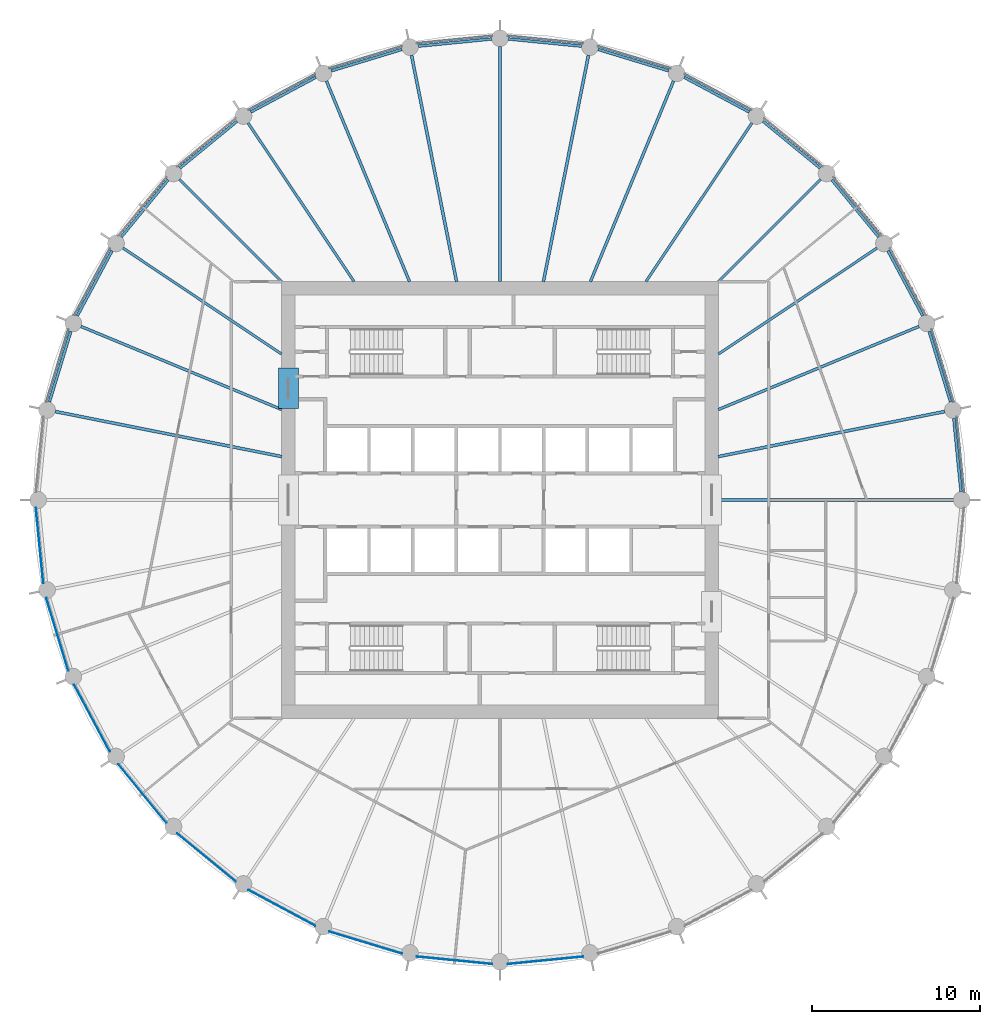
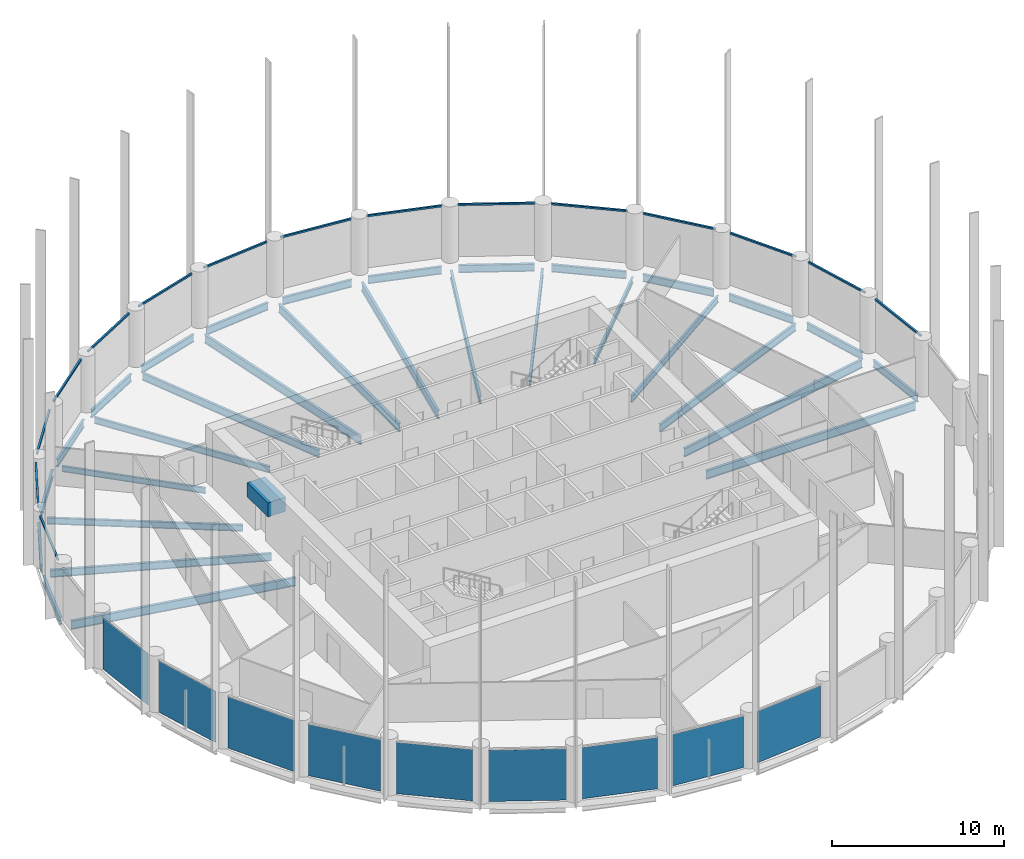
# One storey, part 2 of 8: 32 beams, 15 members, 9 plates, 24 elements without a shape of their own.
"""IFC4 building model written with IfcOpenShell, lengths in metres."""

from ifc_helpers import new_model, si_unit, direction, frame, origin, origin_2d, place, context, subcontext, project, spatial, rectangle, i_section, extrude, material, layer, layer_set, material_profile, profile_set, type_object, element, aggregate, save


model = new_model("IFC4")

# Units and contexts
model_context = context("Model", 3, precision=1e-05, world=origin(), true_north=direction((0.0, 1.0)))
body_context = subcontext(model_context, "Body", "Model", "MODEL_VIEW")
ifc_project = project(units=[si_unit("LENGTHUNIT", "METRE"), si_unit("AREAUNIT", "SQUARE_METRE"), si_unit("VOLUMEUNIT", "CUBIC_METRE"), si_unit("PLANEANGLEUNIT", "RADIAN"), si_unit("MASSUNIT", "GRAM", prefix="KILO")], contexts=[model_context])

# Site, building, storey
site_placement = place(None, origin())
site = spatial("IfcSite", under=ifc_project, at=site_placement, CompositionType="ELEMENT")
building_placement = place(site_placement, origin())
building = spatial("IfcBuilding", under=site, at=building_placement, Name="Corvane Civic Tower", CompositionType="ELEMENT")
storey_placement = place(building_placement, frame((0.0, 0.0, 201.5)))
storey = spatial("IfcBuildingStorey", under=building, at=storey_placement, Name="L47", CompositionType="ELEMENT", Elevation=201.5)

# Beams
ifc_material_1 = material(Name="Concrete C50/60", Category="concrete")
ifc_material_profile_1 = material_profile(ifc_material_1, rectangle(XDim=1.199951171875, YDim=1.0, at=origin_2d()), Name="COUPLING BEAM 1200X1000")
ifc_profile_set_1 = profile_set([ifc_material_profile_1], Name="Concrete C50/60")
beam_type_1 = type_object("IfcBeamType", Name="COUPLING BEAM COUPLING BEAM 1200X1000", PredefinedType="BEAM", material=ifc_profile_set_1)
beam_1_placement = place(storey_placement, frame((-12.60009765625, 5.449951171875, 2.60009765625), z_axis=(0.0, 1.0, 0.0), x_axis=(-1.0, 0.0, 0.0)))
element("IfcBeam", 1, at=beam_1_placement, inside=storey, type_object=beam_type_1, Name="BM-L47-cpl-CW-WN", PredefinedType="BEAM", context=body_context, shape_type="SweptSolid", body=[
    extrude(rectangle(XDim=1.199951171875, YDim=1.0, at=origin_2d()), origin(), (0.0, 0.0, 1.0), 2.400146484375),
])
ifc_material_2 = material(Name="Steel ASTM A992 Gr 50", Category="steel")
ifc_material_profile_2 = material_profile(ifc_material_2, i_section(OverallWidth=0.165771484375, OverallDepth=0.5283203125, WebThickness=0.009765625, FlangeThickness=0.013671875, at=origin_2d()), Name="W21X50")
ifc_profile_set_2 = profile_set([ifc_material_profile_2], Name="Steel ASTM A992 Gr 50")
beam_type_2 = type_object("IfcBeamType", Name="EDGE BEAM W21X50", PredefinedType="BEAM", material=ifc_profile_set_2)
beam_2_placement = place(storey_placement, frame((0.49755859375, 27.450927734375, -0.714111328125), z_axis=(0.995189593769, -0.097967711281, 0.0), x_axis=(0.097967711281, 0.995189593769, 0.0)))
element("IfcBeam", 2, at=beam_2_placement, inside=storey, type_object=beam_type_2, Name="BM-L47-E01", PredefinedType="BEAM", context=body_context, shape_type="SweptSolid", body=[
    extrude(i_section(OverallWidth=0.165771484375, OverallDepth=0.5283203125, WebThickness=0.009765625, FlangeThickness=0.013671875, at=origin_2d()), origin(), (0.0, 0.0, 1.0), 4.39111328125),
])
beam_3_placement = place(storey_placement, frame((5.843505859375, 26.826416015625, -0.714111328125), z_axis=(0.956949547653, -0.290254307888, 0.0), x_axis=(0.290254307888, 0.956949547653, 0.0)))
element("IfcBeam", 3, at=beam_3_placement, inside=storey, type_object=beam_type_2, Name="BM-L47-E02", PredefinedType="BEAM", context=body_context, shape_type="SweptSolid", body=[
    extrude(i_section(OverallWidth=0.165771484375, OverallDepth=0.5283203125, WebThickness=0.009765625, FlangeThickness=0.013671875, at=origin_2d()), origin(), (0.0, 0.0, 1.0), 4.390625),
])
for number, where, z_axis, x_axis, name in (
    (4, (10.964599609375, 25.171142578125, -0.714111328125), (0.881907756852, -0.471422006704, 0.0), (0.471422006704, 0.881907756852, 0.0), "BM-L47-E03"),
    (5, (15.66455078125, 22.54833984375, -0.714111328125), (0.773030026524, -0.634369433447, 0.0), (0.634369433447, 0.773030026524, 0.0), "BM-L47-E04"),
    (6, (19.7626953125, 19.05908203125, -0.714111328125), (0.634369433447, -0.773030026524, 0.0), (0.773030026524, 0.634369433447, 0.0), "BM-L47-E05"),
    (7, (23.10107421875, 14.837158203125, -0.714111328125), (0.471422006704, -0.881907756852, 0.0), (0.881907756852, 0.471422006704, 0.0), "BM-L47-E06"),
):
    element("IfcBeam", number, at=place(storey_placement, frame(where, z_axis=z_axis, x_axis=x_axis)), inside=storey, type_object=beam_type_2, Name=name, PredefinedType="BEAM", context=body_context, shape_type="SweptSolid", body=[
        extrude(i_section(OverallWidth=0.165771484375, OverallDepth=0.5283203125, WebThickness=0.009765625, FlangeThickness=0.013671875, at=origin_2d()), origin(), (0.0, 0.0, 1.0), 4.39111328125),
    ])
beam_4_placement = place(storey_placement, frame((25.552001953125, 10.045166015625, -0.714111328125), z_axis=(0.290254307888, -0.956949547653, 0.0), x_axis=(0.956949547653, 0.290254307888, 0.0)))
element("IfcBeam", 8, at=beam_4_placement, inside=storey, type_object=beam_type_2, Name="BM-L47-E07", PredefinedType="BEAM", context=body_context, shape_type="SweptSolid", body=[
    extrude(i_section(OverallWidth=0.165771484375, OverallDepth=0.5283203125, WebThickness=0.009765625, FlangeThickness=0.013671875, at=origin_2d()), origin(), (0.0, 0.0, 1.0), 4.390625),
])
beam_5_placement = place(storey_placement, frame((27.020751953125, 4.867431640625, -0.714111328125), z_axis=(0.097967711281, -0.995189593769, 0.0), x_axis=(0.995189593769, 0.097967711281, 0.0)))
element("IfcBeam", 9, at=beam_5_placement, inside=storey, type_object=beam_type_2, Name="BM-L47-E08", PredefinedType="BEAM", context=body_context, shape_type="SweptSolid", body=[
    extrude(i_section(OverallWidth=0.165771484375, OverallDepth=0.5283203125, WebThickness=0.009765625, FlangeThickness=0.013671875, at=origin_2d()), origin(), (0.0, 0.0, 1.0), 4.39111328125),
])
beam_6_placement = place(storey_placement, frame((-26.826416015625, 5.843505859375, -0.714111328125), z_axis=(0.290254307888, 0.956949547653, 0.0), x_axis=(-0.956949547653, 0.290254307888, 0.0)))
element("IfcBeam", 10, at=beam_6_placement, inside=storey, type_object=beam_type_2, Name="BM-L47-E26", PredefinedType="BEAM", context=body_context, shape_type="SweptSolid", body=[
    extrude(i_section(OverallWidth=0.165771484375, OverallDepth=0.5283203125, WebThickness=0.009765625, FlangeThickness=0.013671875, at=origin_2d()), origin(), (0.0, 0.0, 1.0), 4.390625),
])
for number, where, z_axis, x_axis, name in (
    (11, (-25.171142578125, 10.964599609375, -0.714111328125), (0.471422006704, 0.881907756852, 0.0), (-0.881907756852, 0.471422006704, 0.0), "BM-L47-E27"),
    (12, (-22.54833984375, 15.66455078125, -0.714111328125), (0.634369433447, 0.773030026524, 0.0), (-0.773030026524, 0.634369433447, 0.0), "BM-L47-E28"),
    (13, (-19.05908203125, 19.7626953125, -0.714111328125), (0.773030026524, 0.634369433447, 0.0), (-0.634369433447, 0.773030026524, 0.0), "BM-L47-E29"),
    (14, (-14.837158203125, 23.10107421875, -0.714111328125), (0.881907756852, 0.471422006704, 0.0), (-0.471422006704, 0.881907756852, 0.0), "BM-L47-E30"),
):
    element("IfcBeam", number, at=place(storey_placement, frame(where, z_axis=z_axis, x_axis=x_axis)), inside=storey, type_object=beam_type_2, Name=name, PredefinedType="BEAM", context=body_context, shape_type="SweptSolid", body=[
        extrude(i_section(OverallWidth=0.165771484375, OverallDepth=0.5283203125, WebThickness=0.009765625, FlangeThickness=0.013671875, at=origin_2d()), origin(), (0.0, 0.0, 1.0), 4.39111328125),
    ])
beam_7_placement = place(storey_placement, frame((-10.045166015625, 25.552001953125, -0.714111328125), z_axis=(0.956949547653, 0.290254307888, 0.0), x_axis=(-0.290254307888, 0.956949547653, 0.0)))
element("IfcBeam", 15, at=beam_7_placement, inside=storey, type_object=beam_type_2, Name="BM-L47-E31", PredefinedType="BEAM", context=body_context, shape_type="SweptSolid", body=[
    extrude(i_section(OverallWidth=0.165771484375, OverallDepth=0.5283203125, WebThickness=0.009765625, FlangeThickness=0.013671875, at=origin_2d()), origin(), (0.0, 0.0, 1.0), 4.390625),
])
beam_8_placement = place(storey_placement, frame((-4.867431640625, 27.020751953125, -0.714111328125), z_axis=(0.995189593769, 0.097967711281, 0.0), x_axis=(-0.097967711281, 0.995189593769, 0.0)))
element("IfcBeam", 16, at=beam_8_placement, inside=storey, type_object=beam_type_2, Name="BM-L47-E32", PredefinedType="BEAM", context=body_context, shape_type="SweptSolid", body=[
    extrude(i_section(OverallWidth=0.165771484375, OverallDepth=0.5283203125, WebThickness=0.009765625, FlangeThickness=0.013671875, at=origin_2d()), origin(), (0.0, 0.0, 1.0), 4.39111328125),
])
ifc_material_3 = material(Name="Steel ASTM A992 Gr 50", Category="steel")
ifc_material_profile_3 = material_profile(ifc_material_3, i_section(OverallWidth=0.140380859375, OverallDepth=0.40380859375, WebThickness=0.007080078125, FlangeThickness=0.01123046875, at=origin_2d()), Name="W16X31")
ifc_profile_set_3 = profile_set([ifc_material_profile_3], Name="Steel ASTM A992 Gr 50")
beam_type_3 = type_object("IfcBeamType", Name="FLOOR GIRDER W16X31", PredefinedType="BEAM", material=ifc_profile_set_3)
for number, where, z_axis, x_axis, name in (
    (17, (13.0, 13.0, -0.65185546875), (0.707106781187, 0.707106781187, 0.0), (-0.707106781187, 0.707106781187, 0.0), "BM-L47-G05"),
    (18, (-13.0, 13.0, -0.65185546875), (-0.707106781187, 0.707106781187, 0.0), (-0.707106781187, -0.707106781187, 0.0), "BM-L47-G29"),
):
    element("IfcBeam", number, at=place(storey_placement, frame(where, z_axis=z_axis, x_axis=x_axis)), inside=storey, type_object=beam_type_3, Name=name, PredefinedType="BEAM", context=body_context, shape_type="SweptSolid", body=[
        extrude(i_section(OverallWidth=0.140380859375, OverallDepth=0.40380859375, WebThickness=0.007080078125, FlangeThickness=0.01123046875, at=origin_2d()), origin(), (0.0, 0.0, 1.0), 8.614990234375),
    ])
ifc_material_4 = material(Name="Steel ASTM A992 Gr 50", Category="steel")
ifc_material_profile_4 = material_profile(ifc_material_4, i_section(OverallWidth=0.15283203125, OverallDepth=0.45458984375, WebThickness=0.008056640625, FlangeThickness=0.013427734375, at=origin_2d()), Name="W18X40")
ifc_profile_set_4 = profile_set([ifc_material_profile_4], Name="Steel ASTM A992 Gr 50")
beam_type_4 = type_object("IfcBeamType", Name="FLOOR GIRDER W18X40", PredefinedType="BEAM", material=ifc_profile_set_4)
for number, where, z_axis, x_axis, name in (
    (19, (8.686279296875, 13.0, -0.67724609375), (0.555577326485, 0.831464872557, 0.0), (-0.831464872557, 0.555577326485, 0.0), "BM-L47-G04"),
    (20, (13.0, 8.686279296875, -0.67724609375), (0.831464872557, 0.555577326485, 0.0), (-0.555577326485, 0.831464872557, 0.0), "BM-L47-G06"),
    (21, (-13.0, 8.686279296875, -0.67724609375), (-0.831464872557, 0.555577326485, 0.0), (-0.555577326485, -0.831464872557, 0.0), "BM-L47-G28"),
    (22, (-8.686279296875, 13.0, -0.67724609375), (-0.555577326485, 0.831464872557, 0.0), (-0.831464872557, -0.555577326485, 0.0), "BM-L47-G30"),
):
    element("IfcBeam", number, at=place(storey_placement, frame(where, z_axis=z_axis, x_axis=x_axis)), inside=storey, type_object=beam_type_4, Name=name, PredefinedType="BEAM", context=body_context, shape_type="SweptSolid", body=[
        extrude(i_section(OverallWidth=0.15283203125, OverallDepth=0.45458984375, WebThickness=0.008056640625, FlangeThickness=0.013427734375, at=origin_2d()), origin(), (0.0, 0.0, 1.0), 11.365234375),
    ])
ifc_material_5 = material(Name="Steel ASTM A992 Gr 50", Category="steel")
ifc_material_profile_5 = material_profile(ifc_material_5, i_section(OverallWidth=0.165771484375, OverallDepth=0.5283203125, WebThickness=0.009765625, FlangeThickness=0.013671875, at=origin_2d()), Name="W21X50")
ifc_profile_set_5 = profile_set([ifc_material_profile_5], Name="Steel ASTM A992 Gr 50")
beam_type_5 = type_object("IfcBeamType", Name="FLOOR GIRDER W21X50", PredefinedType="BEAM", material=ifc_profile_set_5)
for number, where, z_axis, x_axis, name in (
    (23, (5.384765625, 13.0, -0.714111328125), (0.382686450378, 0.923878282404, 0.0), (-0.923878282404, 0.382686450378, 0.0), "BM-L47-G03"),
    (24, (13.0, 5.384765625, -0.714111328125), (0.923878282404, 0.382686450378, 0.0), (-0.382686450378, 0.923878282404, 0.0), "BM-L47-G07"),
    (25, (-13.0, 5.384765625, -0.714111328125), (-0.923878282404, 0.382686450378, 0.0), (-0.382686450378, -0.923878282404, 0.0), "BM-L47-G27"),
    (26, (-5.384765625, 13.0, -0.714111328125), (-0.382686450378, 0.923878282404, 0.0), (-0.923878282404, -0.382686450378, 0.0), "BM-L47-G31"),
):
    element("IfcBeam", number, at=place(storey_placement, frame(where, z_axis=z_axis, x_axis=x_axis)), inside=storey, type_object=beam_type_5, Name=name, PredefinedType="BEAM", context=body_context, shape_type="SweptSolid", body=[
        extrude(i_section(OverallWidth=0.165771484375, OverallDepth=0.5283203125, WebThickness=0.009765625, FlangeThickness=0.013671875, at=origin_2d()), origin(), (0.0, 0.0, 1.0), 12.928955078125),
    ])
ifc_material_6 = material(Name="Steel ASTM A992 Gr 50", Category="steel")
ifc_material_profile_6 = material_profile(ifc_material_6, i_section(OverallWidth=0.177978515625, OverallDepth=0.599365234375, WebThickness=0.010009765625, FlangeThickness=0.012939453125, at=origin_2d()), Name="W24X55")
ifc_profile_set_6 = profile_set([ifc_material_profile_6], Name="Steel ASTM A992 Gr 50")
beam_type_6 = type_object("IfcBeamType", Name="FLOOR GIRDER W24X55", PredefinedType="BEAM", material=ifc_profile_set_6)
beam_9_placement = place(storey_placement, frame((0.0, 13.0, -0.749755859375), z_axis=(0.0, 1.0, 0.0), x_axis=(-1.0, 0.0, 0.0)))
element("IfcBeam", 27, at=beam_9_placement, inside=storey, type_object=beam_type_6, Name="BM-L47-G01", PredefinedType="BEAM", context=body_context, shape_type="SweptSolid", body=[
    extrude(i_section(OverallWidth=0.177978515625, OverallDepth=0.599365234375, WebThickness=0.010009765625, FlangeThickness=0.012939453125, at=origin_2d()), origin(), (0.0, 0.0, 1.0), 14.0),
])
for number, where, z_axis, x_axis, name in (
    (28, (2.5859375, 13.0, -0.749755859375), (0.195077644118, 0.980787802109, 0.0), (-0.980787802109, 0.195077644118, 0.0), "BM-L47-G02"),
    (29, (13.0, 2.5859375, -0.749755859375), (0.980787802109, 0.195077644118, 0.0), (-0.195077644118, 0.980787802109, 0.0), "BM-L47-G08"),
):
    element("IfcBeam", number, at=place(storey_placement, frame(where, z_axis=z_axis, x_axis=x_axis)), inside=storey, type_object=beam_type_6, Name=name, PredefinedType="BEAM", context=body_context, shape_type="SweptSolid", body=[
        extrude(i_section(OverallWidth=0.177978515625, OverallDepth=0.599365234375, WebThickness=0.010009765625, FlangeThickness=0.012939453125, at=origin_2d()), origin(), (0.0, 0.0, 1.0), 13.745361328125),
    ])
beam_10_placement = place(storey_placement, frame((13.0, 0.0, -0.749755859375), z_axis=(1.0, 0.0, 0.0), x_axis=(0.0, 1.0, 0.0)))
element("IfcBeam", 30, at=beam_10_placement, inside=storey, type_object=beam_type_6, Name="BM-L47-G09", PredefinedType="BEAM", context=body_context, shape_type="SweptSolid", body=[
    extrude(i_section(OverallWidth=0.177978515625, OverallDepth=0.599365234375, WebThickness=0.010009765625, FlangeThickness=0.012939453125, at=origin_2d()), origin(), (0.0, 0.0, 1.0), 14.0),
])
for number, where, z_axis, x_axis, name in (
    (31, (-13.0, 2.5859375, -0.749755859375), (-0.980787802109, 0.195077644118, 0.0), (-0.195077644118, -0.980787802109, 0.0), "BM-L47-G26"),
    (32, (-2.5859375, 13.0, -0.749755859375), (-0.195077644118, 0.980787802109, 0.0), (-0.980787802109, -0.195077644118, 0.0), "BM-L47-G32"),
):
    element("IfcBeam", number, at=place(storey_placement, frame(where, z_axis=z_axis, x_axis=x_axis)), inside=storey, type_object=beam_type_6, Name=name, PredefinedType="BEAM", context=body_context, shape_type="SweptSolid", body=[
        extrude(i_section(OverallWidth=0.177978515625, OverallDepth=0.599365234375, WebThickness=0.010009765625, FlangeThickness=0.012939453125, at=origin_2d()), origin(), (0.0, 0.0, 1.0), 13.745361328125),
    ])

# Curtain wall, member
ifc_material_7 = material(Name="Anodised aluminium bronze", Category="aluminium")
curtain_wall_type = type_object("IfcCurtainWallType", Name="TOWER CW-T2 STICK CURTAIN WALL", PredefinedType="NOTDEFINED", material=ifc_material_7)
curtain_wall_1_placement = place(storey_placement, origin())
curtain_wall_1 = element("IfcCurtainWall", 33, at=curtain_wall_1_placement, inside=storey, type_object=curtain_wall_type, Name="Curtain wall CW-T2 L47 bay 01", PredefinedType="NOTDEFINED")
ifc_material_8 = material(Name="Anodised aluminium bronze", Category="aluminium")
ifc_material_profile_7 = material_profile(ifc_material_8, rectangle(XDim=0.1201171875, YDim=0.1201171875, at=origin_2d()), Name="TOWER CW-T2 TRANSOM 120x120")
ifc_profile_set_7 = profile_set([ifc_material_profile_7], Name="Anodised aluminium bronze")
member_type = type_object("IfcMemberType", Name="TOWER CW-T2 TRANSOM 120x120", PredefinedType="USERDEFINED", material=ifc_profile_set_7)
member_1_placement = place(storey_placement, frame((0.452392578125, 27.635498046875, 3.68994140625), z_axis=(0.995182207386, -0.098042715701, 0.0), x_axis=(0.098042715701, 0.995182207386, 0.0)))
member_1 = element("IfcMember", 34, at=member_1_placement, type_object=member_type, Name="Transom CW-T2 L47 01.1", ObjectType="TRANSOM", PredefinedType="USERDEFINED", context=body_context, shape_type="SweptSolid", body=[
    extrude(rectangle(XDim=0.1201171875, YDim=0.1201171875, at=origin_2d()), origin(), (0.0, 0.0, 1.0), 4.51708984375),
])
aggregate(curtain_wall_1, [member_1])

curtain_wall_2_placement = place(storey_placement, origin())
curtain_wall_2 = element("IfcCurtainWall", 35, at=curtain_wall_2_placement, inside=storey, type_object=curtain_wall_type, Name="Curtain wall CW-T2 L47 bay 02", PredefinedType="NOTDEFINED")
member_2_placement = place(storey_placement, frame((5.8349609375, 27.016357421875, 3.68994140625), z_axis=(0.956941182173, -0.2902818869, 0.0), x_axis=(0.2902818869, 0.956941182173, 0.0)))
member_2 = element("IfcMember", 36, at=member_2_placement, type_object=member_type, Name="Transom CW-T2 L47 02.1", ObjectType="TRANSOM", PredefinedType="USERDEFINED", context=body_context, shape_type="SweptSolid", body=[
    extrude(rectangle(XDim=0.1201171875, YDim=0.1201171875, at=origin_2d()), origin(), (0.0, 0.0, 1.0), 4.517333984375),
])
aggregate(curtain_wall_2, [member_2])

curtain_wall_3_placement = place(storey_placement, origin())
curtain_wall_3 = element("IfcCurtainWall", 37, at=curtain_wall_3_placement, inside=storey, type_object=curtain_wall_type, Name="Curtain wall CW-T2 L47 bay 03", PredefinedType="NOTDEFINED")
member_3_placement = place(storey_placement, frame((10.993408203125, 25.35888671875, 3.68994140625), z_axis=(0.881924695689, -0.471390317183, 0.0), x_axis=(0.471390317183, 0.881924695689, 0.0)))
member_3 = element("IfcMember", 38, at=member_3_placement, type_object=member_type, Name="Transom CW-T2 L47 03.1", ObjectType="TRANSOM", PredefinedType="USERDEFINED", context=body_context, shape_type="SweptSolid", body=[
    extrude(rectangle(XDim=0.1201171875, YDim=0.1201171875, at=origin_2d()), origin(), (0.0, 0.0, 1.0), 4.517333984375),
])
aggregate(curtain_wall_3, [member_3])

curtain_wall_4_placement = place(storey_placement, origin())
curtain_wall_4 = element("IfcCurtainWall", 39, at=curtain_wall_4_placement, inside=storey, type_object=curtain_wall_type, Name="Curtain wall CW-T2 L47 bay 04", PredefinedType="NOTDEFINED")
member_4_placement = place(storey_placement, frame((15.7294921875, 22.726806640625, 3.68994140625), z_axis=(0.773014925698, -0.634387834569, 0.0), x_axis=(0.634387834569, 0.773014925698, 0.0)))
member_4 = element("IfcMember", 40, at=member_4_placement, type_object=member_type, Name="Transom CW-T2 L47 04.1", ObjectType="TRANSOM", PredefinedType="USERDEFINED", context=body_context, shape_type="SweptSolid", body=[
    extrude(rectangle(XDim=0.1201171875, YDim=0.1201171875, at=origin_2d()), origin(), (0.0, 0.0, 1.0), 4.517333984375),
])
aggregate(curtain_wall_4, [member_4])

curtain_wall_5_placement = place(storey_placement, origin())
curtain_wall_5 = element("IfcCurtainWall", 41, at=curtain_wall_5_placement, inside=storey, type_object=curtain_wall_type, Name="Curtain wall CW-T2 L47 bay 05", PredefinedType="NOTDEFINED")
member_5_placement = place(storey_placement, frame((19.861083984375, 19.221435546875, 3.68994140625), z_axis=(0.634387834569, -0.773014925698, 0.0), x_axis=(0.773014925698, 0.634387834569, 0.0)))
member_5 = element("IfcMember", 42, at=member_5_placement, type_object=member_type, Name="Transom CW-T2 L47 05.1", ObjectType="TRANSOM", PredefinedType="USERDEFINED", context=body_context, shape_type="SweptSolid", body=[
    extrude(rectangle(XDim=0.1201171875, YDim=0.1201171875, at=origin_2d()), origin(), (0.0, 0.0, 1.0), 4.517333984375),
])
aggregate(curtain_wall_5, [member_5])

curtain_wall_6_placement = place(storey_placement, origin())
curtain_wall_6 = element("IfcCurtainWall", 43, at=curtain_wall_6_placement, inside=storey, type_object=curtain_wall_type, Name="Curtain wall CW-T2 L47 bay 06", PredefinedType="NOTDEFINED")
member_6_placement = place(storey_placement, frame((23.2294921875, 14.977294921875, 3.68994140625), z_axis=(0.471390317183, -0.881924695689, 0.0), x_axis=(0.881924695689, 0.471390317183, 0.0)))
member_6 = element("IfcMember", 44, at=member_6_placement, type_object=member_type, Name="Transom CW-T2 L47 06.1", ObjectType="TRANSOM", PredefinedType="USERDEFINED", context=body_context, shape_type="SweptSolid", body=[
    extrude(rectangle(XDim=0.1201171875, YDim=0.1201171875, at=origin_2d()), origin(), (0.0, 0.0, 1.0), 4.517333984375),
])
aggregate(curtain_wall_6, [member_6])

curtain_wall_7_placement = place(storey_placement, origin())
curtain_wall_7 = element("IfcCurtainWall", 45, at=curtain_wall_7_placement, inside=storey, type_object=curtain_wall_type, Name="Curtain wall CW-T2 L47 bay 07", PredefinedType="NOTDEFINED")
member_7_placement = place(storey_placement, frame((25.705078125, 10.15771484375, 3.68994140625), z_axis=(0.2902818869, -0.956941182173, 0.0), x_axis=(0.956941182173, 0.2902818869, 0.0)))
member_7 = element("IfcMember", 46, at=member_7_placement, type_object=member_type, Name="Transom CW-T2 L47 07.1", ObjectType="TRANSOM", PredefinedType="USERDEFINED", context=body_context, shape_type="SweptSolid", body=[
    extrude(rectangle(XDim=0.1201171875, YDim=0.1201171875, at=origin_2d()), origin(), (0.0, 0.0, 1.0), 4.517333984375),
])
aggregate(curtain_wall_7, [member_7])

curtain_wall_8_placement = place(storey_placement, origin())
curtain_wall_8 = element("IfcCurtainWall", 47, at=curtain_wall_8_placement, inside=storey, type_object=curtain_wall_type, Name="Curtain wall CW-T2 L47 bay 08", PredefinedType="NOTDEFINED")
member_8_placement = place(storey_placement, frame((27.192626953125, 4.94775390625, 3.68994140625), z_axis=(0.098042715701, -0.995182207386, 0.0), x_axis=(0.995182207386, 0.098042715701, 0.0)))
member_8 = element("IfcMember", 48, at=member_8_placement, type_object=member_type, Name="Transom CW-T2 L47 08.1", ObjectType="TRANSOM", PredefinedType="USERDEFINED", context=body_context, shape_type="SweptSolid", body=[
    extrude(rectangle(XDim=0.1201171875, YDim=0.1201171875, at=origin_2d()), origin(), (0.0, 0.0, 1.0), 4.51708984375),
])
aggregate(curtain_wall_8, [member_8])

curtain_wall_9_placement = place(storey_placement, origin())
curtain_wall_9 = element("IfcCurtainWall", 49, at=curtain_wall_9_placement, inside=storey, type_object=curtain_wall_type, Name="Curtain wall CW-T2 L47 bay 26", PredefinedType="NOTDEFINED")
member_9_placement = place(storey_placement, frame((-27.016357421875, 5.8349609375, 3.68994140625), z_axis=(0.2902818869, 0.956941182173, 0.0), x_axis=(-0.956941182173, 0.2902818869, 0.0)))
member_9 = element("IfcMember", 50, at=member_9_placement, type_object=member_type, Name="Transom CW-T2 L47 26.1", ObjectType="TRANSOM", PredefinedType="USERDEFINED", context=body_context, shape_type="SweptSolid", body=[
    extrude(rectangle(XDim=0.1201171875, YDim=0.1201171875, at=origin_2d()), origin(), (0.0, 0.0, 1.0), 4.517333984375),
])
aggregate(curtain_wall_9, [member_9])

curtain_wall_10_placement = place(storey_placement, origin())
curtain_wall_10 = element("IfcCurtainWall", 51, at=curtain_wall_10_placement, inside=storey, type_object=curtain_wall_type, Name="Curtain wall CW-T2 L47 bay 27", PredefinedType="NOTDEFINED")
member_10_placement = place(storey_placement, frame((-25.35888671875, 10.993408203125, 3.68994140625), z_axis=(0.471390317183, 0.881924695689, 0.0), x_axis=(-0.881924695689, 0.471390317183, 0.0)))
member_10 = element("IfcMember", 52, at=member_10_placement, type_object=member_type, Name="Transom CW-T2 L47 27.1", ObjectType="TRANSOM", PredefinedType="USERDEFINED", context=body_context, shape_type="SweptSolid", body=[
    extrude(rectangle(XDim=0.1201171875, YDim=0.1201171875, at=origin_2d()), origin(), (0.0, 0.0, 1.0), 4.517333984375),
])
aggregate(curtain_wall_10, [member_10])

curtain_wall_11_placement = place(storey_placement, origin())
curtain_wall_11 = element("IfcCurtainWall", 53, at=curtain_wall_11_placement, inside=storey, type_object=curtain_wall_type, Name="Curtain wall CW-T2 L47 bay 28", PredefinedType="NOTDEFINED")
member_11_placement = place(storey_placement, frame((-22.726806640625, 15.7294921875, 3.68994140625), z_axis=(0.634387834569, 0.773014925698, 0.0), x_axis=(-0.773014925698, 0.634387834569, 0.0)))
member_11 = element("IfcMember", 54, at=member_11_placement, type_object=member_type, Name="Transom CW-T2 L47 28.1", ObjectType="TRANSOM", PredefinedType="USERDEFINED", context=body_context, shape_type="SweptSolid", body=[
    extrude(rectangle(XDim=0.1201171875, YDim=0.1201171875, at=origin_2d()), origin(), (0.0, 0.0, 1.0), 4.517333984375),
])
aggregate(curtain_wall_11, [member_11])

curtain_wall_12_placement = place(storey_placement, origin())
curtain_wall_12 = element("IfcCurtainWall", 55, at=curtain_wall_12_placement, inside=storey, type_object=curtain_wall_type, Name="Curtain wall CW-T2 L47 bay 29", PredefinedType="NOTDEFINED")
member_12_placement = place(storey_placement, frame((-19.221435546875, 19.861083984375, 3.68994140625), z_axis=(0.773014925698, 0.634387834569, 0.0), x_axis=(-0.634387834569, 0.773014925698, 0.0)))
member_12 = element("IfcMember", 56, at=member_12_placement, type_object=member_type, Name="Transom CW-T2 L47 29.1", ObjectType="TRANSOM", PredefinedType="USERDEFINED", context=body_context, shape_type="SweptSolid", body=[
    extrude(rectangle(XDim=0.1201171875, YDim=0.1201171875, at=origin_2d()), origin(), (0.0, 0.0, 1.0), 4.517333984375),
])
aggregate(curtain_wall_12, [member_12])

curtain_wall_13_placement = place(storey_placement, origin())
curtain_wall_13 = element("IfcCurtainWall", 57, at=curtain_wall_13_placement, inside=storey, type_object=curtain_wall_type, Name="Curtain wall CW-T2 L47 bay 30", PredefinedType="NOTDEFINED")
member_13_placement = place(storey_placement, frame((-14.977294921875, 23.2294921875, 3.68994140625), z_axis=(0.881924695689, 0.471390317183, 0.0), x_axis=(-0.471390317183, 0.881924695689, 0.0)))
member_13 = element("IfcMember", 58, at=member_13_placement, type_object=member_type, Name="Transom CW-T2 L47 30.1", ObjectType="TRANSOM", PredefinedType="USERDEFINED", context=body_context, shape_type="SweptSolid", body=[
    extrude(rectangle(XDim=0.1201171875, YDim=0.1201171875, at=origin_2d()), origin(), (0.0, 0.0, 1.0), 4.517333984375),
])
aggregate(curtain_wall_13, [member_13])

curtain_wall_14_placement = place(storey_placement, origin())
curtain_wall_14 = element("IfcCurtainWall", 59, at=curtain_wall_14_placement, inside=storey, type_object=curtain_wall_type, Name="Curtain wall CW-T2 L47 bay 31", PredefinedType="NOTDEFINED")
member_14_placement = place(storey_placement, frame((-10.15771484375, 25.705078125, 3.68994140625), z_axis=(0.956941182173, 0.2902818869, 0.0), x_axis=(-0.2902818869, 0.956941182173, 0.0)))
member_14 = element("IfcMember", 60, at=member_14_placement, type_object=member_type, Name="Transom CW-T2 L47 31.1", ObjectType="TRANSOM", PredefinedType="USERDEFINED", context=body_context, shape_type="SweptSolid", body=[
    extrude(rectangle(XDim=0.1201171875, YDim=0.1201171875, at=origin_2d()), origin(), (0.0, 0.0, 1.0), 4.517333984375),
])
aggregate(curtain_wall_14, [member_14])

curtain_wall_15_placement = place(storey_placement, origin())
curtain_wall_15 = element("IfcCurtainWall", 61, at=curtain_wall_15_placement, inside=storey, type_object=curtain_wall_type, Name="Curtain wall CW-T2 L47 bay 32", PredefinedType="NOTDEFINED")
member_15_placement = place(storey_placement, frame((-4.94775390625, 27.192626953125, 3.68994140625), z_axis=(0.995182207386, 0.098042715701, 0.0), x_axis=(-0.098042715701, 0.995182207386, 0.0)))
member_15 = element("IfcMember", 62, at=member_15_placement, type_object=member_type, Name="Transom CW-T2 L47 32.1", ObjectType="TRANSOM", PredefinedType="USERDEFINED", context=body_context, shape_type="SweptSolid", body=[
    extrude(rectangle(XDim=0.1201171875, YDim=0.1201171875, at=origin_2d()), origin(), (0.0, 0.0, 1.0), 4.51708984375),
])
aggregate(curtain_wall_15, [member_15])

# Curtain wall, plate
curtain_wall_16_placement = place(storey_placement, origin())
curtain_wall_16 = element("IfcCurtainWall", 63, at=curtain_wall_16_placement, inside=storey, type_object=curtain_wall_type, Name="Curtain wall CW-T2 L47 bay 16", PredefinedType="NOTDEFINED")
ifc_material_9 = material(Name="Tinted glass", Category="glass")
ifc_layer = layer(ifc_material_9, 0.031982421875)
ifc_layer_set = layer_set([ifc_layer], Name="Tinted glass")
plate_type = type_object("IfcPlateType", Name="TOWER CW-T2 PANEL IGU32", PredefinedType="CURTAIN_PANEL", material=ifc_layer_set)
plate_1_placement = place(storey_placement, frame((2.699951171875, -27.4140625, 0.0), z_axis=(0.0, 0.0, 1.0), x_axis=(-0.995187058378, -0.097993463235, 0.0)))
plate_1 = element("IfcPlate", 64, at=plate_1_placement, type_object=plate_type, Name="Glass panel CW-T2 L47 16.1", PredefinedType="CURTAIN_PANEL", context=body_context, shape_type="SweptSolid", body=[
    extrude(rectangle(XDim=4.517333984375, YDim=0.031982421875, at=origin_2d()), origin(), (0.0, 0.0, 1.0), 3.6298828125),
])
aggregate(curtain_wall_16, [plate_1])

curtain_wall_17_placement = place(storey_placement, origin())
curtain_wall_17 = element("IfcCurtainWall", 65, at=curtain_wall_17_placement, inside=storey, type_object=curtain_wall_type, Name="Curtain wall CW-T2 L47 bay 17", PredefinedType="NOTDEFINED")
plate_2_placement = place(storey_placement, frame((-2.699951171875, -27.4140625, 0.0), z_axis=(0.0, 0.0, 1.0), x_axis=(-0.995187058378, 0.097993463235, 0.0)))
plate_2 = element("IfcPlate", 66, at=plate_2_placement, type_object=plate_type, Name="Glass panel CW-T2 L47 17.1", PredefinedType="CURTAIN_PANEL", context=body_context, shape_type="SweptSolid", body=[
    extrude(rectangle(XDim=4.517333984375, YDim=0.031982421875, at=origin_2d()), origin(), (0.0, 0.0, 1.0), 3.6298828125),
])
aggregate(curtain_wall_17, [plate_2])

curtain_wall_18_placement = place(storey_placement, origin())
curtain_wall_18 = element("IfcCurtainWall", 67, at=curtain_wall_18_placement, inside=storey, type_object=curtain_wall_type, Name="Curtain wall CW-T2 L47 bay 18", PredefinedType="NOTDEFINED")
plate_3_placement = place(storey_placement, frame((-7.996337890625, -26.360595703125, 0.0), z_axis=(0.0, 0.0, 1.0), x_axis=(-0.956938843612, 0.290289596069, 0.0)))
plate_3 = element("IfcPlate", 68, at=plate_3_placement, type_object=plate_type, Name="Glass panel CW-T2 L47 18.1", PredefinedType="CURTAIN_PANEL", context=body_context, shape_type="SweptSolid", body=[
    extrude(rectangle(XDim=4.517333984375, YDim=0.031982421875, at=origin_2d()), origin(), (0.0, 0.0, 1.0), 3.6298828125),
])
aggregate(curtain_wall_18, [plate_3])

curtain_wall_19_placement = place(storey_placement, origin())
curtain_wall_19 = element("IfcCurtainWall", 69, at=curtain_wall_19_placement, inside=storey, type_object=curtain_wall_type, Name="Curtain wall CW-T2 L47 bay 19", PredefinedType="NOTDEFINED")
plate_4_placement = place(storey_placement, frame((-12.9853515625, -24.294189453125, 0.0), z_axis=(0.0, 0.0, 1.0), x_axis=(-0.881920381001, 0.471398389449, 0.0)))
plate_4 = element("IfcPlate", 70, at=plate_4_placement, type_object=plate_type, Name="Glass panel CW-T2 L47 19.1", PredefinedType="CURTAIN_PANEL", context=body_context, shape_type="SweptSolid", body=[
    extrude(rectangle(XDim=4.517333984375, YDim=0.031982421875, at=origin_2d()), origin(), (0.0, 0.0, 1.0), 3.6298828125),
])
aggregate(curtain_wall_19, [plate_4])

curtain_wall_20_placement = place(storey_placement, origin())
curtain_wall_20 = element("IfcCurtainWall", 71, at=curtain_wall_20_placement, inside=storey, type_object=curtain_wall_type, Name="Curtain wall CW-T2 L47 bay 20", PredefinedType="NOTDEFINED")
plate_5_placement = place(storey_placement, frame((-17.475341796875, -21.2939453125, 0.0), z_axis=(0.0, 0.0, 1.0), x_axis=(-0.773012269331, 0.634391071394, 0.0)))
plate_5 = element("IfcPlate", 72, at=plate_5_placement, type_object=plate_type, Name="Glass panel CW-T2 L47 20.1", PredefinedType="CURTAIN_PANEL", context=body_context, shape_type="SweptSolid", body=[
    extrude(rectangle(XDim=4.517333984375, YDim=0.031982421875, at=origin_2d()), origin(), (0.0, 0.0, 1.0), 3.6298828125),
])
aggregate(curtain_wall_20, [plate_5])

curtain_wall_21_placement = place(storey_placement, origin())
curtain_wall_21 = element("IfcCurtainWall", 73, at=curtain_wall_21_placement, inside=storey, type_object=curtain_wall_type, Name="Curtain wall CW-T2 L47 bay 21", PredefinedType="NOTDEFINED")
plate_6_placement = place(storey_placement, frame((-21.2939453125, -17.475341796875, 0.0), z_axis=(0.0, 0.0, 1.0), x_axis=(-0.634391071394, 0.773012269331, 0.0)))
plate_6 = element("IfcPlate", 74, at=plate_6_placement, type_object=plate_type, Name="Glass panel CW-T2 L47 21.1", PredefinedType="CURTAIN_PANEL", context=body_context, shape_type="SweptSolid", body=[
    extrude(rectangle(XDim=4.517333984375, YDim=0.031982421875, at=origin_2d()), origin(), (0.0, 0.0, 1.0), 3.6298828125),
])
aggregate(curtain_wall_21, [plate_6])

curtain_wall_22_placement = place(storey_placement, origin())
curtain_wall_22 = element("IfcCurtainWall", 75, at=curtain_wall_22_placement, inside=storey, type_object=curtain_wall_type, Name="Curtain wall CW-T2 L47 bay 22", PredefinedType="NOTDEFINED")
plate_7_placement = place(storey_placement, frame((-24.294189453125, -12.9853515625, 0.0), z_axis=(0.0, 0.0, 1.0), x_axis=(-0.471398389449, 0.881920381001, 0.0)))
plate_7 = element("IfcPlate", 76, at=plate_7_placement, type_object=plate_type, Name="Glass panel CW-T2 L47 22.1", PredefinedType="CURTAIN_PANEL", context=body_context, shape_type="SweptSolid", body=[
    extrude(rectangle(XDim=4.517333984375, YDim=0.031982421875, at=origin_2d()), origin(), (0.0, 0.0, 1.0), 3.6298828125),
])
aggregate(curtain_wall_22, [plate_7])

curtain_wall_23_placement = place(storey_placement, origin())
curtain_wall_23 = element("IfcCurtainWall", 77, at=curtain_wall_23_placement, inside=storey, type_object=curtain_wall_type, Name="Curtain wall CW-T2 L47 bay 23", PredefinedType="NOTDEFINED")
plate_8_placement = place(storey_placement, frame((-26.360595703125, -7.996337890625, 0.0), z_axis=(0.0, 0.0, 1.0), x_axis=(-0.290289596069, 0.956938843612, 0.0)))
plate_8 = element("IfcPlate", 78, at=plate_8_placement, type_object=plate_type, Name="Glass panel CW-T2 L47 23.1", PredefinedType="CURTAIN_PANEL", context=body_context, shape_type="SweptSolid", body=[
    extrude(rectangle(XDim=4.517333984375, YDim=0.031982421875, at=origin_2d()), origin(), (0.0, 0.0, 1.0), 3.6298828125),
])
aggregate(curtain_wall_23, [plate_8])

curtain_wall_24_placement = place(storey_placement, origin())
curtain_wall_24 = element("IfcCurtainWall", 79, at=curtain_wall_24_placement, inside=storey, type_object=curtain_wall_type, Name="Curtain wall CW-T2 L47 bay 24", PredefinedType="NOTDEFINED")
plate_9_placement = place(storey_placement, frame((-27.4140625, -2.699951171875, 0.0), z_axis=(0.0, 0.0, 1.0), x_axis=(-0.097993463235, 0.995187058378, 0.0)))
plate_9 = element("IfcPlate", 80, at=plate_9_placement, type_object=plate_type, Name="Glass panel CW-T2 L47 24.1", PredefinedType="CURTAIN_PANEL", context=body_context, shape_type="SweptSolid", body=[
    extrude(rectangle(XDim=4.517333984375, YDim=0.031982421875, at=origin_2d()), origin(), (0.0, 0.0, 1.0), 3.6298828125),
])
aggregate(curtain_wall_24, [plate_9])

save(model, "model.ifc")
